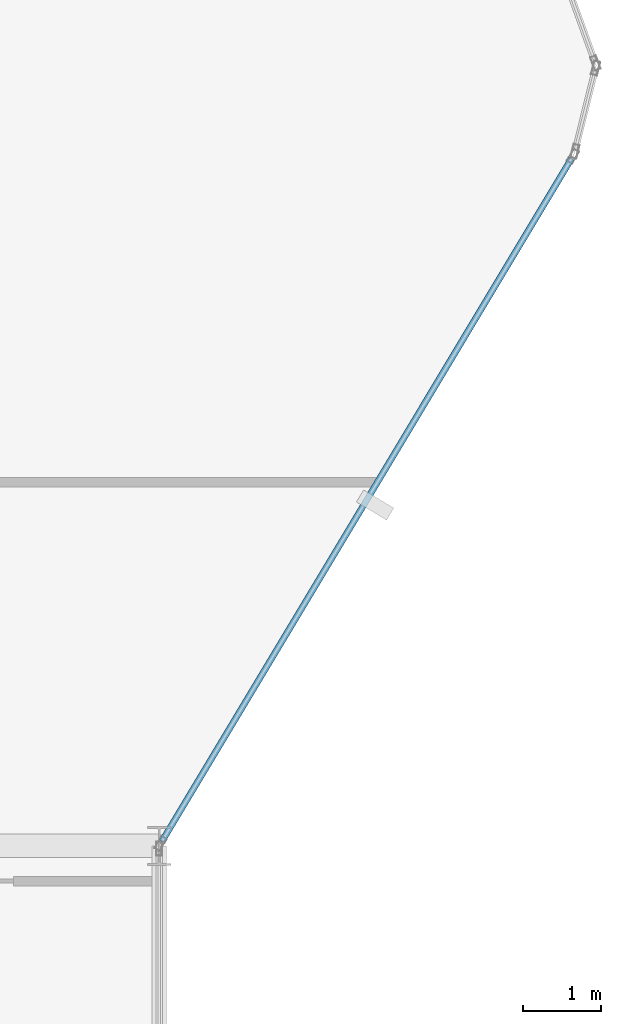
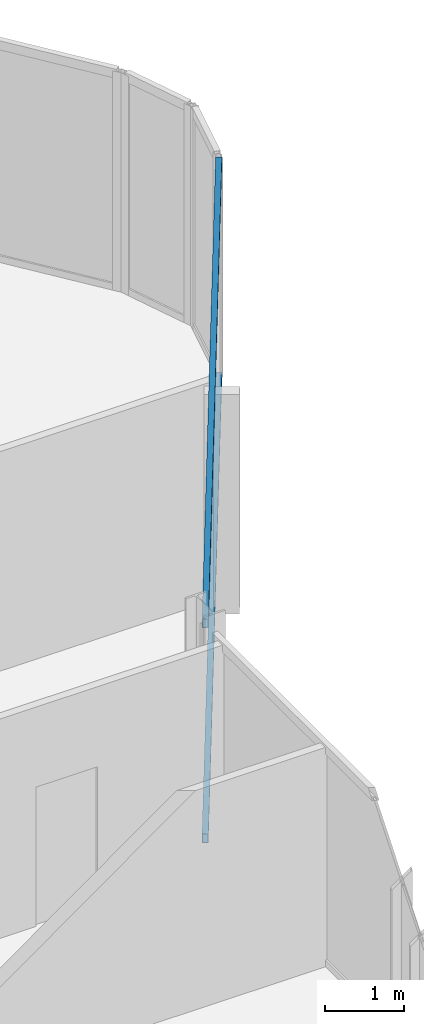
# One storey, part 14 of 31: 2 members, 1 element without a shape of its own.
"""IFC4 building model written with IfcOpenShell, lengths in metres."""

from ifc_helpers import new_model, si_unit, direction, frame, origin, origin_2d, place, context, subcontext, project, spatial, hollow_rectangle, extrude, material, layer, layer_set, material_profile, profile_set, type_object, element, aggregate, save


model = new_model("IFC4")

# Units and contexts
model_context = context("Model", 3, precision=1e-05, world=origin(), true_north=direction((0.0, 1.0)))
body_context = subcontext(model_context, "Body", "Model", "MODEL_VIEW")
ifc_project = project(units=[si_unit("LENGTHUNIT", "METRE"), si_unit("AREAUNIT", "SQUARE_METRE"), si_unit("VOLUMEUNIT", "CUBIC_METRE"), si_unit("PLANEANGLEUNIT", "RADIAN"), si_unit("MASSUNIT", "GRAM", prefix="KILO")], contexts=[model_context])

# Site, building, storey
site_placement = place(None, origin())
site = spatial("IfcSite", under=ifc_project, at=site_placement, CompositionType="ELEMENT")
building_placement = place(site_placement, origin())
building = spatial("IfcBuilding", under=site, at=building_placement, Name="Keshet Zoharim Tower", CompositionType="ELEMENT")
storey_placement = place(building_placement, frame((0.0, 0.0, 148.300048828125)))
storey = spatial("IfcBuildingStorey", under=building, at=storey_placement, Name="L36", CompositionType="ELEMENT", Elevation=148.300048828125)

# Curtain wall, members
ifc_material = material(Name="Aluminium 6063-T6", Category="aluminium")
ifc_layer = layer(ifc_material, 0.159912109375)
ifc_layer_set = layer_set([ifc_layer], Name="Aluminium 6063-T6")
curtain_wall_type = type_object("IfcCurtainWallType", Name="CW-SYS-03", PredefinedType="NOTDEFINED", material=ifc_layer_set)
curtain_wall_placement = place(storey_placement, origin())
curtain_wall = element("IfcCurtainWall", 1, at=curtain_wall_placement, inside=storey, type_object=curtain_wall_type, Name="L36 Unitised Curtain Wall 18", PredefinedType="NOTDEFINED")
ifc_material_profile = material_profile(ifc_material, hollow_rectangle(XDim=0.080078125, YDim=0.139892578125, WallThickness=0.00390625, at=origin_2d()), Name="TRN-80x140")
ifc_profile_set = profile_set([ifc_material_profile], Name="Aluminium 6063-T6")
member_type = type_object("IfcMemberType", Name="CWT-T14", PredefinedType="USERDEFINED", material=ifc_profile_set)
member_1_placement = place(storey_placement, frame((62.27197265625, 36.68701171875, 0.034912109375), z_axis=(-0.514467532827, -0.857509858641, 0.0), x_axis=(0.857509858641, -0.514467532827, 0.0)))
member_1 = element("IfcMember", 2, at=member_1_placement, type_object=member_type, Name="CW-03 transom 1.1", ObjectType="TRANSOM", PredefinedType="USERDEFINED", context=body_context, shape_type="SweptSolid", body=[
    extrude(hollow_rectangle(XDim=0.080078125, YDim=0.139892578125, WallThickness=0.00390625, at=origin_2d()), origin(), (0.0, 0.0, 1.0), 10.17724609375),
])
member_2_placement = place(storey_placement, frame((62.27197265625, 36.68701171875, 3.349853515625), z_axis=(-0.514467532827, -0.857509858641, 0.0), x_axis=(0.857509858641, -0.514467532827, 0.0)))
member_2 = element("IfcMember", 3, at=member_2_placement, type_object=member_type, Name="CW-03 transom 1.2", ObjectType="TRANSOM", PredefinedType="USERDEFINED", context=body_context, shape_type="SweptSolid", body=[
    extrude(hollow_rectangle(XDim=0.080078125, YDim=0.139892578125, WallThickness=0.00390625, at=origin_2d()), origin(), (0.0, 0.0, 1.0), 10.17724609375),
])
aggregate(curtain_wall, [member_1, member_2])

save(model, "model.ifc")
